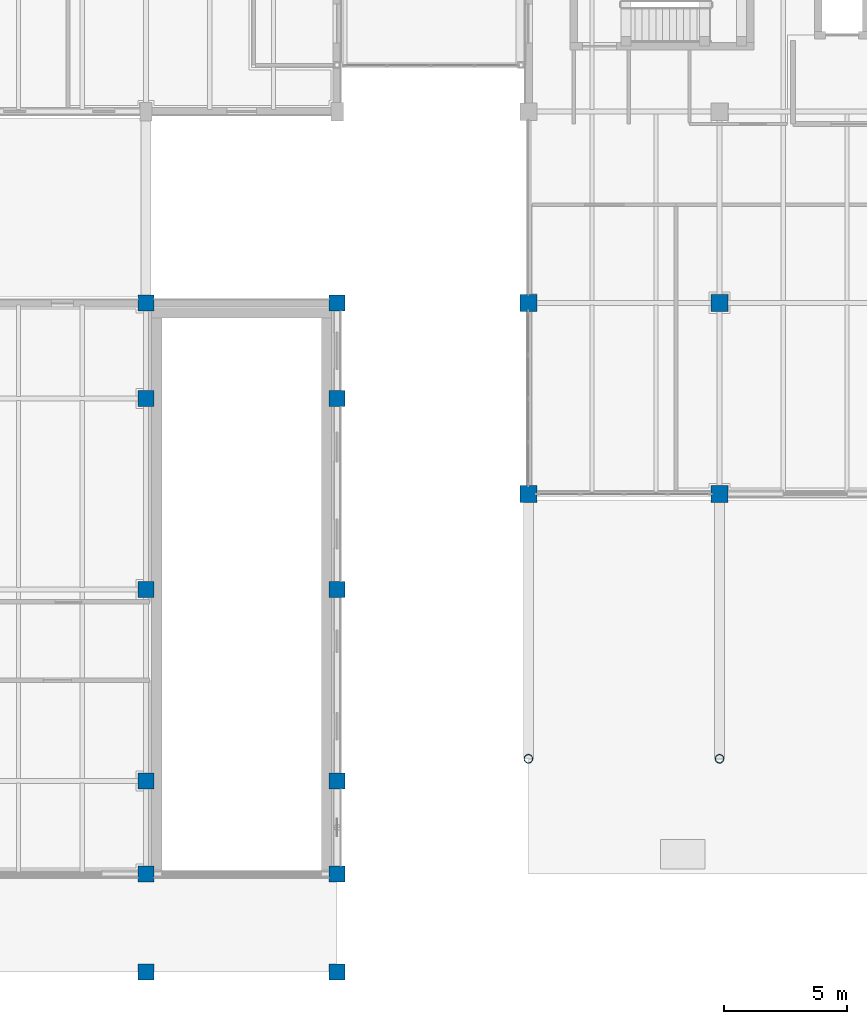
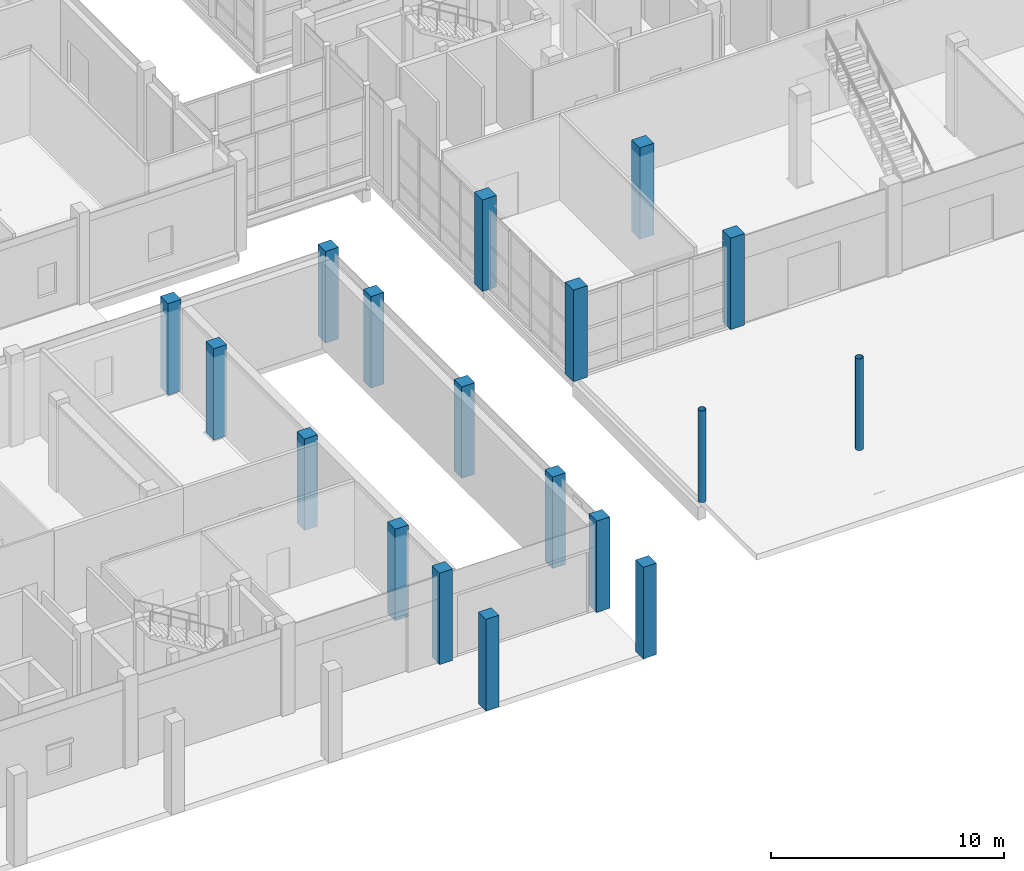
# One storey, part 3 of 131: 18 columns.
"""IFC4 building model written with IfcOpenShell, lengths in metres."""

from ifc_helpers import new_model, si_unit, direction, frame, origin, origin_2d, place, context, subcontext, project, spatial, rectangle, hollow_circle, extrude, material, material_profile, profile_set, type_object, element, save


model = new_model("IFC4")

# Units and contexts
model_context = context("Model", 3, precision=1e-05, world=origin(), true_north=direction((0.0, 1.0)))
body_context = subcontext(model_context, "Body", "Model", "MODEL_VIEW")
ifc_project = project(units=[si_unit("LENGTHUNIT", "METRE"), si_unit("AREAUNIT", "SQUARE_METRE"), si_unit("VOLUMEUNIT", "CUBIC_METRE"), si_unit("PLANEANGLEUNIT", "RADIAN"), si_unit("MASSUNIT", "GRAM", prefix="KILO")], contexts=[model_context])

# Site, building, storey
site_placement = place(None, origin())
site = spatial("IfcSite", under=ifc_project, at=site_placement, CompositionType="ELEMENT")
building_placement = place(site_placement, origin())
building = spatial("IfcBuilding", under=site, at=building_placement, Name="Celorna Specialist Clinic", CompositionType="ELEMENT")
storey_placement = place(building_placement, origin())
storey = spatial("IfcBuildingStorey", under=building, at=storey_placement, Name="L00", CompositionType="ELEMENT", Elevation=0.0)

# Columns
ifc_material_1 = material(Name="Concrete C40/50", Category="concrete")
ifc_material_profile_1 = material_profile(ifc_material_1, rectangle(XDim=0.699951171875, YDim=0.699951171875, at=origin_2d()), Name="RC 700x700")
ifc_profile_set_1 = profile_set([ifc_material_profile_1], Name="Concrete C40/50")
column_type_1 = type_object("IfcColumnType", Name="CT-02", PredefinedType="COLUMN", material=ifc_profile_set_1)
for number, where, z_axis, x_axis, name in (
    (1, (54.60009765625, 19.5, 0.0), (0.0, 0.0, 1.0), (1.0, 0.0, 0.0), "Column CT-02 L00 X08/YE"),
    (2, (54.60009765625, 27.300048828125, 0.0), (0.0, 0.0, 1.0), (1.0, 0.0, 0.0), "Column CT-02 L00 X08/YF"),
    (3, (62.39990234375, 19.5, 0.0), (0.0, 0.0, 1.0), (1.0, 0.0, 0.0), "Column CT-02 L00 X09/YE"),
    (4, (62.39990234375, 27.300048828125, 0.0), (0.0, 0.0, 1.0), (1.0, 0.0, 0.0), "Column CT-02 L00 X09/YF"),
):
    element("IfcColumn", number, at=place(storey_placement, frame(where, z_axis=z_axis, x_axis=x_axis)), inside=storey, type_object=column_type_1, Name=name, PredefinedType="COLUMN", context=body_context, shape_type="SweptSolid", body=[
        extrude(rectangle(XDim=0.699951171875, YDim=0.699951171875, at=origin_2d()), origin(), (0.0, 0.0, 1.0), 4.800048828125),
    ])
ifc_material_profile_2 = material_profile(ifc_material_1, rectangle(XDim=0.64990234375, YDim=0.64990234375, at=origin_2d()), Name="RC 650x650")
ifc_profile_set_2 = profile_set([ifc_material_profile_2], Name="Concrete C40/50")
column_type_2 = type_object("IfcColumnType", Name="CT-03", PredefinedType="COLUMN", material=ifc_profile_set_2)
for number, where, z_axis, x_axis, name in (
    (5, (39.0, 0.0, 0.0), (0.0, 0.0, 1.0), (1.0, 0.0, 0.0), "Ambulance arcade column CT-03 L00 X06/YA"),
    (6, (46.800048828125, 0.0, 0.0), (0.0, 0.0, 1.0), (1.0, 0.0, 0.0), "Ambulance arcade column CT-03 L00 X07/YA"),
    (7, (39.0, 4.0, 0.0), (0.0, 0.0, 1.0), (1.0, 0.0, 0.0), "Column CT-03 L00 X06/YA1"),
    (8, (39.0, 7.800048828125, 0.0), (0.0, 0.0, 1.0), (1.0, 0.0, 0.0), "Column CT-03 L00 X06/YC"),
    (9, (39.0, 15.60009765625, 0.0), (0.0, 0.0, 1.0), (1.0, 0.0, 0.0), "Column CT-03 L00 X06/YD"),
    (10, (39.0, 23.39990234375, 0.0), (0.0, 0.0, 1.0), (1.0, 0.0, 0.0), "Column CT-03 L00 X06/YE"),
    (11, (39.0, 27.300048828125, 0.0), (0.0, 0.0, 1.0), (1.0, 0.0, 0.0), "Column CT-03 L00 X06/YF"),
    (12, (46.800048828125, 4.0, 0.0), (0.0, 0.0, 1.0), (1.0, 0.0, 0.0), "Column CT-03 L00 X07/YA1"),
    (13, (46.800048828125, 7.800048828125, 0.0), (0.0, 0.0, 1.0), (1.0, 0.0, 0.0), "Column CT-03 L00 X07/YC"),
    (14, (46.800048828125, 15.60009765625, 0.0), (0.0, 0.0, 1.0), (1.0, 0.0, 0.0), "Column CT-03 L00 X07/YD"),
    (15, (46.800048828125, 23.39990234375, 0.0), (0.0, 0.0, 1.0), (1.0, 0.0, 0.0), "Column CT-03 L00 X07/YE"),
    (16, (46.800048828125, 27.300048828125, 0.0), (0.0, 0.0, 1.0), (1.0, 0.0, 0.0), "Column CT-03 L00 X07/YF"),
):
    element("IfcColumn", number, at=place(storey_placement, frame(where, z_axis=z_axis, x_axis=x_axis)), inside=storey, type_object=column_type_2, Name=name, PredefinedType="COLUMN", context=body_context, shape_type="SweptSolid", body=[
        extrude(rectangle(XDim=0.64990234375, YDim=0.64990234375, at=origin_2d()), origin(), (0.0, 0.0, 1.0), 4.800048828125),
    ])
ifc_material_2 = material(Name="Steel S355", Category="steel")
ifc_material_profile_3 = material_profile(ifc_material_2, hollow_circle(Radius=0.177734375, WallThickness=0.01611328125, at=origin_2d()), Name="CHS 355.6x16")
ifc_profile_set_3 = profile_set([ifc_material_profile_3], Name="Steel S355")
column_type_3 = type_object("IfcColumnType", Name="CT-11", PredefinedType="COLUMN", material=ifc_profile_set_3)
for number, where, z_axis, x_axis, name in (
    (17, (54.60009765625, 8.699951171875, 0.0), (0.0, 0.0, 1.0), (1.0, 0.0, 0.0), "Slim portico steel column CT-11 L00 X08/YC"),
    (18, (62.39990234375, 8.699951171875, 0.0), (0.0, 0.0, 1.0), (1.0, 0.0, 0.0), "Slim portico steel column CT-11 L00 X09/YC"),
):
    element("IfcColumn", number, at=place(storey_placement, frame(where, z_axis=z_axis, x_axis=x_axis)), inside=storey, type_object=column_type_3, Name=name, PredefinedType="COLUMN", context=body_context, shape_type="SweptSolid", body=[
        extrude(hollow_circle(Radius=0.177734375, WallThickness=0.01611328125, at=origin_2d()), origin(), (0.0, 0.0, 1.0), 4.800048828125),
    ])

save(model, "model.ifc")
